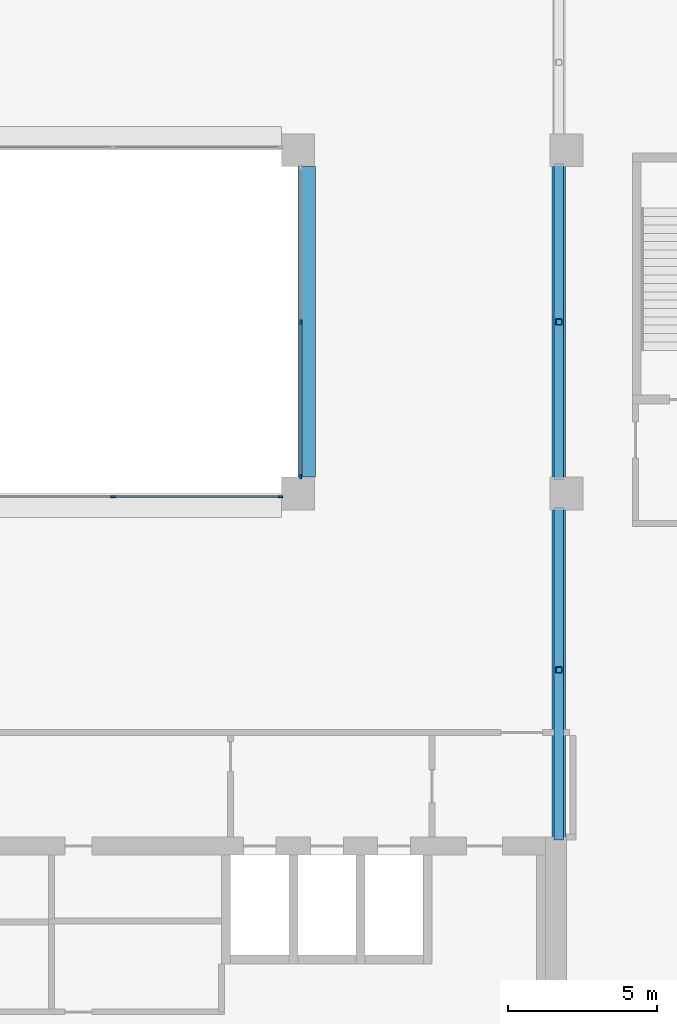
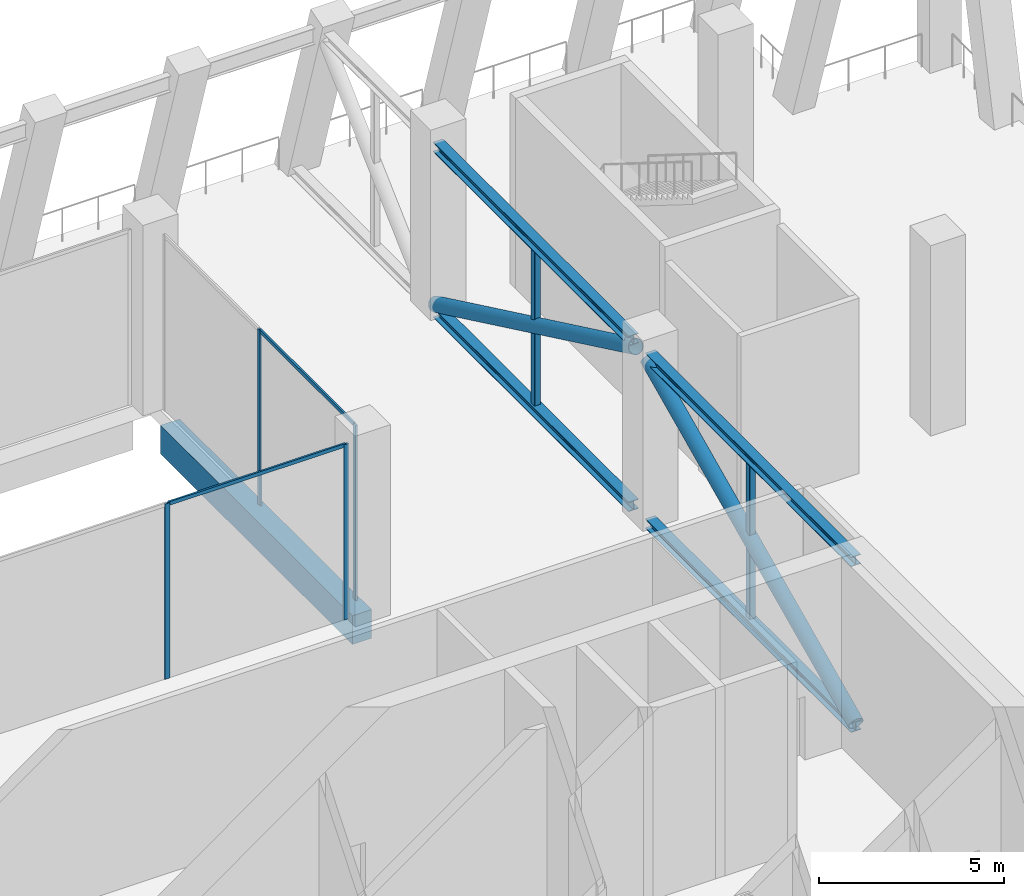
# One storey, part 5 of 14: 16 members, 1 beam, 2 elements without a shape of their own.
"""IFC4 building model written with IfcOpenShell, lengths in metres."""

from ifc_helpers import new_model, si_unit, direction, frame, origin, origin_2d, place, context, subcontext, project, spatial, rectangle, hollow_rectangle, hollow_circle, i_section, extrude, material, layer, layer_set, material_profile, profile_set, type_object, element, aggregate, save


model = new_model("IFC4")

# Units and contexts
model_context = context("Model", 3, precision=1e-05, world=origin(), true_north=direction((0.0, 1.0)))
body_context = subcontext(model_context, "Body", "Model", "MODEL_VIEW")
ifc_project = project(units=[si_unit("LENGTHUNIT", "METRE"), si_unit("AREAUNIT", "SQUARE_METRE"), si_unit("VOLUMEUNIT", "CUBIC_METRE"), si_unit("PLANEANGLEUNIT", "RADIAN"), si_unit("MASSUNIT", "GRAM", prefix="KILO")], contexts=[model_context])

# Site, building, storey
site_placement = place(None, origin())
site = spatial("IfcSite", under=ifc_project, at=site_placement, CompositionType="ELEMENT")
building_placement = place(site_placement, origin())
building = spatial("IfcBuilding", under=site, at=building_placement, Name="Brigalow Station Residences", CompositionType="ELEMENT")
storey_placement = place(building_placement, frame((0.0, 0.0, 185.39990234375)))
storey = spatial("IfcBuildingStorey", under=building, at=storey_placement, Name="L54", CompositionType="ELEMENT", Elevation=185.39990234375)

# Beam
ifc_material_1 = material(Name="Concrete C65", Category="concrete")
ifc_material_profile_1 = material_profile(ifc_material_1, rectangle(XDim=0.60009765625, YDim=0.949951171875, at=origin_2d()), Name="RC600x950")
ifc_profile_set_1 = profile_set([ifc_material_profile_1], Name="Concrete C65")
beam_type = type_object("IfcBeamType", Name="ATRIUM EDGE GIRDER 600x950 C65", PredefinedType="BEAM", material=ifc_profile_set_1)
beam_placement = place(storey_placement, frame((45.300048828125, 24.550048828125, -0.974853515625), z_axis=(0.0, 1.0, 0.0), x_axis=(-1.0, 0.0, 0.0)))
element("IfcBeam", 1, at=beam_placement, inside=storey, type_object=beam_type, Name="ATRIUM EDGE GIRDER 5 L54", PredefinedType="BEAM", context=body_context, shape_type="SweptSolid", body=[
    extrude(rectangle(XDim=0.60009765625, YDim=0.949951171875, at=origin_2d()), origin(), (0.0, 0.0, 1.0), 10.39990234375),
])

# Curtain wall, members
ifc_material_2 = material(Name="Aluminium", Category="aluminium")
ifc_layer = layer(ifc_material_2, 0.14990234375)
ifc_layer_set = layer_set([ifc_layer], Name="ATRIUM FIRE-RATED GLAZING CURTAIN WALL")
curtain_wall_type = type_object("IfcCurtainWallType", Name="ATRIUM FIRE-RATED GLAZING CURTAIN WALL", PredefinedType="NOTDEFINED", material=ifc_layer_set)
curtain_wall_1_placement = place(storey_placement, origin())
curtain_wall_1 = element("IfcCurtainWall", 2, at=curtain_wall_1_placement, inside=storey, type_object=curtain_wall_type, Name="L54/cw/atrium-S", PredefinedType="NOTDEFINED")
ifc_material_3 = material(Name="Aluminium", Category="aluminium")
ifc_material_profile_2 = material_profile(ifc_material_3, rectangle(XDim=0.06005859375, YDim=0.14990234375, at=origin_2d()), Name="ATRIUM FIRE-RATED GLAZING MULLION 60x150")
ifc_profile_set_2 = profile_set([ifc_material_profile_2], Name="Aluminium")
member_type_1 = type_object("IfcMemberType", Name="ATRIUM FIRE-RATED GLAZING MULLION 60x150", PredefinedType="MULLION", material=ifc_profile_set_2)
member_1_placement = place(storey_placement, frame((38.816650390625, 23.89990234375, 0.0), z_axis=(0.0, 0.0, 1.0), x_axis=(0.0, 1.0, 0.0)))
member_1 = element("IfcMember", 3, at=member_1_placement, type_object=member_type_1, Name="L54/cw/atrium-S/M02", PredefinedType="MULLION", context=body_context, shape_type="SweptSolid", body=[
    extrude(rectangle(XDim=0.06005859375, YDim=0.14990234375, at=origin_2d()), origin(), (0.0, 0.0, 1.0), 5.800048828125),
])
member_2_placement = place(storey_placement, frame((44.419921875, 23.89990234375, 0.0), z_axis=(0.0, 0.0, 1.0), x_axis=(0.0, 1.0, 0.0)))
member_2 = element("IfcMember", 4, at=member_2_placement, type_object=member_type_1, Name="L54/cw/atrium-S/M03", PredefinedType="MULLION", context=body_context, shape_type="SweptSolid", body=[
    extrude(rectangle(XDim=0.06005859375, YDim=0.14990234375, at=origin_2d()), origin(), (0.0, 0.0, 1.0), 5.800048828125),
])

curtain_wall_2_placement = place(storey_placement, origin())
curtain_wall_2 = element("IfcCurtainWall", 5, at=curtain_wall_2_placement, inside=storey, type_object=curtain_wall_type, Name="L54/cw/atrium-E", PredefinedType="NOTDEFINED")
member_3_placement = place(storey_placement, frame((45.10009765625, 24.580078125, 0.0), z_axis=(0.0, 0.0, 1.0), x_axis=(-1.0, 0.0, 0.0)))
member_3 = element("IfcMember", 6, at=member_3_placement, type_object=member_type_1, Name="L54/cw/atrium-E/M00", PredefinedType="MULLION", context=body_context, shape_type="SweptSolid", body=[
    extrude(rectangle(XDim=0.06005859375, YDim=0.14990234375, at=origin_2d()), origin(), (0.0, 0.0, 1.0), 5.800048828125),
])
member_4_placement = place(storey_placement, frame((45.10009765625, 29.75, 0.0), z_axis=(0.0, 0.0, 1.0), x_axis=(-1.0, 0.0, 0.0)))
member_4 = element("IfcMember", 7, at=member_4_placement, type_object=member_type_1, Name="L54/cw/atrium-E/M01", PredefinedType="MULLION", context=body_context, shape_type="SweptSolid", body=[
    extrude(rectangle(XDim=0.06005859375, YDim=0.14990234375, at=origin_2d()), origin(), (0.0, 0.0, 1.0), 5.800048828125),
])

# Member
ifc_material_4 = material(Name="Aluminium", Category="aluminium")
ifc_material_profile_3 = material_profile(ifc_material_4, rectangle(XDim=0.06005859375, YDim=0.1201171875, at=origin_2d()), Name="ATRIUM FIRE-RATED GLAZING TRANSOM 60x120")
ifc_profile_set_3 = profile_set([ifc_material_profile_3], Name="Aluminium")
member_type_2 = type_object("IfcMemberType", Name="ATRIUM FIRE-RATED GLAZING TRANSOM 60x120", PredefinedType="USERDEFINED", material=ifc_profile_set_3)
member_5_placement = place(storey_placement, frame((38.8466796875, 23.89990234375, 5.77001953125), z_axis=(1.0, 0.0, 0.0), x_axis=(0.0, 1.0, 0.0)))
member_5 = element("IfcMember", 8, at=member_5_placement, type_object=member_type_2, Name="L54/cw/atrium-S/T02-00", ObjectType="TRANSOM", PredefinedType="USERDEFINED", context=body_context, shape_type="SweptSolid", body=[
    extrude(rectangle(XDim=0.06005859375, YDim=0.1201171875, at=origin_2d()), origin(), (0.0, 0.0, 1.0), 5.543212890625),
])

aggregate(curtain_wall_1, [member_1, member_2, member_5])

member_6_placement = place(storey_placement, frame((45.10009765625, 24.610107421875, 5.77001953125), z_axis=(0.0, 1.0, 0.0), x_axis=(-1.0, 0.0, 0.0)))
member_6 = element("IfcMember", 9, at=member_6_placement, type_object=member_type_2, Name="L54/cw/atrium-E/T00-00", ObjectType="TRANSOM", PredefinedType="USERDEFINED", context=body_context, shape_type="SweptSolid", body=[
    extrude(rectangle(XDim=0.06005859375, YDim=0.1201171875, at=origin_2d()), origin(), (0.0, 0.0, 1.0), 5.10986328125),
])

aggregate(curtain_wall_2, [member_3, member_4, member_6])

# Members
ifc_material_5 = material(Name="Steel Grade C350L0 to AS/NZS 1163", Category="steel")
ifc_material_profile_4 = material_profile(ifc_material_5, hollow_circle(Radius=0.228515625, WallThickness=0.0126953125, at=origin_2d()), Name="457.0x12.7CHS")
ifc_profile_set_4 = profile_set([ifc_material_profile_4], Name="Steel Grade C350L0 to AS/NZS 1163")
member_type_3 = type_object("IfcMemberType", Name="OUTRIGGER BRACE 457.0x12.7CHS", PredefinedType="BRACE", material=ifc_profile_set_4)
member_7_placement = place(storey_placement, frame((53.739990234375, 12.40234375, 0.25146484375), z_axis=(0.0, 0.906805549875, 0.421549160496), x_axis=(-1.0, 0.0, 0.0)))
element("IfcMember", 10, at=member_7_placement, inside=storey, type_object=member_type_3, Name="OUTRIGGER BRACE E1 L54", PredefinedType="BRACE", context=body_context, shape_type="SweptSolid", body=[
    extrude(hollow_circle(Radius=0.228515625, WallThickness=0.0126953125, at=origin_2d()), origin(), (0.0, 0.0, 1.0), 12.41650390625),
])
member_8_placement = place(storey_placement, frame((53.739990234375, 24.329833984375, 5.485595703125), z_axis=(0.0, 0.902574759932, -0.430533161015), x_axis=(-1.0, 0.0, 0.0)))
element("IfcMember", 11, at=member_8_placement, inside=storey, type_object=member_type_3, Name="OUTRIGGER BRACE E2 L54", PredefinedType="BRACE", context=body_context, shape_type="SweptSolid", body=[
    extrude(hollow_circle(Radius=0.228515625, WallThickness=0.0126953125, at=origin_2d()), origin(), (0.0, 0.0, 1.0), 12.010498046875),
])
ifc_material_6 = material(Name="Steel Grade 300 to AS/NZS 3679.1", Category="steel")
ifc_material_profile_5 = material_profile(ifc_material_6, i_section(OverallWidth=0.30908203125, OverallDepth=0.320556640625, WebThickness=0.013916015625, FlangeThickness=0.021728515625, FilletRadius=0.0166015625, at=origin_2d()), Name="310UC137")
ifc_profile_set_5 = profile_set([ifc_material_profile_5], Name="Steel Grade 300 to AS/NZS 3679.1")
member_type_4 = type_object("IfcMemberType", Name="OUTRIGGER CHORD 310UC137", PredefinedType="CHORD", material=ifc_profile_set_5)
member_9_placement = place(storey_placement, frame((53.739990234375, 12.39990234375, 0.157470703125), z_axis=(0.0, 1.0, 0.0), x_axis=(-1.0, 0.0, 0.0)))
element("IfcMember", 12, at=member_9_placement, inside=storey, type_object=member_type_4, Name="OUTRIGGER CHORD E LOWER 1 L54", PredefinedType="CHORD", context=body_context, shape_type="SweptSolid", body=[
    extrude(i_section(OverallWidth=0.30908203125, OverallDepth=0.320556640625, WebThickness=0.013916015625, FlangeThickness=0.021728515625, FilletRadius=0.0166015625, at=origin_2d()), origin(), (0.0, 0.0, 1.0), 11.150146484375),
])
member_10_placement = place(storey_placement, frame((53.739990234375, 24.449951171875, 0.157470703125), z_axis=(0.0, 1.0, 0.0), x_axis=(-1.0, 0.0, 0.0)))
element("IfcMember", 13, at=member_10_placement, inside=storey, type_object=member_type_4, Name="OUTRIGGER CHORD E LOWER 2 L54", PredefinedType="CHORD", context=body_context, shape_type="SweptSolid", body=[
    extrude(i_section(OverallWidth=0.30908203125, OverallDepth=0.320556640625, WebThickness=0.013916015625, FlangeThickness=0.021728515625, FilletRadius=0.0166015625, at=origin_2d()), origin(), (0.0, 0.0, 1.0), 10.60009765625),
])
member_11_placement = place(storey_placement, frame((53.739990234375, 12.39990234375, 5.642822265625), z_axis=(0.0, 1.0, 0.0), x_axis=(-1.0, 0.0, 0.0)))
element("IfcMember", 14, at=member_11_placement, inside=storey, type_object=member_type_4, Name="OUTRIGGER CHORD E UPPER 1 L54", PredefinedType="CHORD", context=body_context, shape_type="SweptSolid", body=[
    extrude(i_section(OverallWidth=0.30908203125, OverallDepth=0.320556640625, WebThickness=0.013916015625, FlangeThickness=0.021728515625, FilletRadius=0.0166015625, at=origin_2d()), origin(), (0.0, 0.0, 1.0), 11.150146484375),
])
member_12_placement = place(storey_placement, frame((53.739990234375, 24.449951171875, 5.642822265625), z_axis=(0.0, 1.0, 0.0), x_axis=(-1.0, 0.0, 0.0)))
element("IfcMember", 15, at=member_12_placement, inside=storey, type_object=member_type_4, Name="OUTRIGGER CHORD E UPPER 2 L54", PredefinedType="CHORD", context=body_context, shape_type="SweptSolid", body=[
    extrude(i_section(OverallWidth=0.30908203125, OverallDepth=0.320556640625, WebThickness=0.013916015625, FlangeThickness=0.021728515625, FilletRadius=0.0166015625, at=origin_2d()), origin(), (0.0, 0.0, 1.0), 10.60009765625),
])
ifc_material_7 = material(Name="Steel Grade C450L0 to AS/NZS 1163", Category="steel")
ifc_material_profile_6 = material_profile(ifc_material_7, hollow_rectangle(XDim=0.199951171875, YDim=0.199951171875, WallThickness=0.009033203125, InnerFilletRadius=0.013427734375, OuterFilletRadius=0.0224609375, at=origin_2d()), Name="200x200x9.0SHS")
ifc_profile_set_6 = profile_set([ifc_material_profile_6], Name="Steel Grade C450L0 to AS/NZS 1163")
member_type_5 = type_object("IfcMemberType", Name="OUTRIGGER POST 200x200x9.0SHS", PredefinedType="POST", material=ifc_profile_set_6)
for number, where, z_axis, x_axis, name in (
    (16, (53.739990234375, 18.10009765625, 0.314697265625), (0.0, 0.0, 1.0), (1.0, 0.0, 0.0), "OUTRIGGER POST E1L L54"),
    (17, (53.739990234375, 18.10009765625, 2.900146484375), (0.0, 0.0, 1.0), (1.0, 0.0, 0.0), "OUTRIGGER POST E1U L54"),
    (18, (53.739990234375, 29.75, 0.314697265625), (0.0, 0.0, 1.0), (1.0, 0.0, 0.0), "OUTRIGGER POST E2L L54"),
    (19, (53.739990234375, 29.75, 2.900146484375), (0.0, 0.0, 1.0), (1.0, 0.0, 0.0), "OUTRIGGER POST E2U L54"),
):
    element("IfcMember", number, at=place(storey_placement, frame(where, z_axis=z_axis, x_axis=x_axis)), inside=storey, type_object=member_type_5, Name=name, PredefinedType="POST", context=body_context, shape_type="SweptSolid", body=[
        extrude(hollow_rectangle(XDim=0.199951171875, YDim=0.199951171875, WallThickness=0.009033203125, InnerFilletRadius=0.013427734375, OuterFilletRadius=0.0224609375, at=origin_2d()), origin(), (0.0, 0.0, 1.0), 2.58544921875),
    ])

save(model, "model.ifc")
